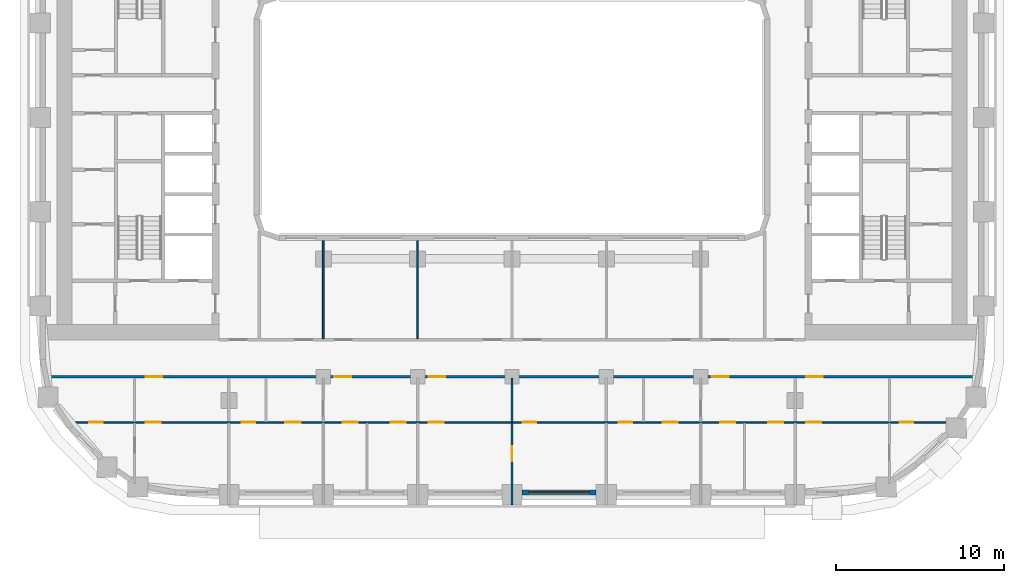
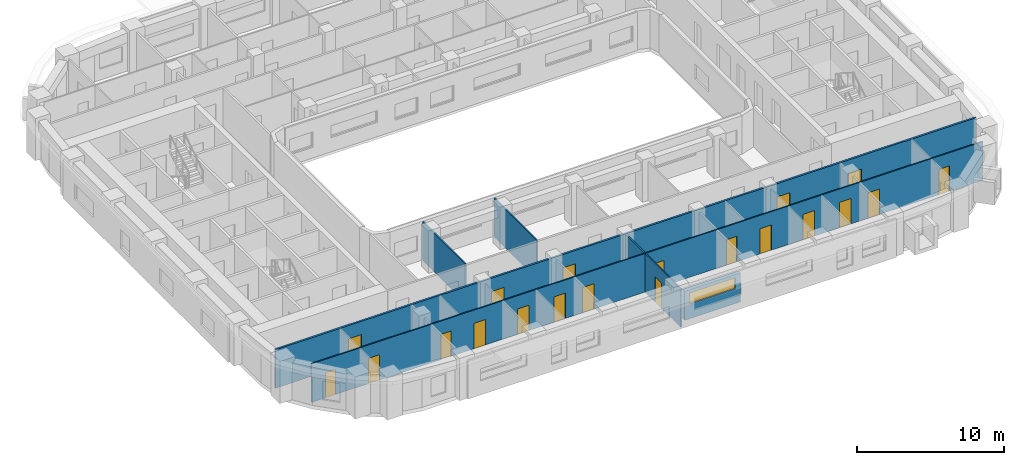
# One storey, part 3 of 22: 20 doors, 7 walls, 1 window, 21 openings.
"""IFC4 building model written with IfcOpenShell, lengths in metres."""

from ifc_helpers import new_model, si_unit, direction, frame, frame_2d, origin, place, context, subcontext, project, spatial, rectangle, extrude, material, layer, layer_set, type_object, element, fill, save


model = new_model("IFC4")

# Units and contexts
model_context = context("Model", 3, precision=1e-05, world=origin(), true_north=direction((0.0, 1.0)))
body_context = subcontext(model_context, "Body", "Model", "MODEL_VIEW")
ifc_project = project(units=[si_unit("LENGTHUNIT", "METRE"), si_unit("AREAUNIT", "SQUARE_METRE"), si_unit("VOLUMEUNIT", "CUBIC_METRE"), si_unit("PLANEANGLEUNIT", "RADIAN"), si_unit("MASSUNIT", "GRAM", prefix="KILO")], contexts=[model_context])

# Site, building, storey
site_placement = place(None, origin())
site = spatial("IfcSite", under=ifc_project, at=site_placement, CompositionType="ELEMENT")
building_placement = place(site_placement, origin())
building = spatial("IfcBuilding", under=site, at=building_placement, Name="Kiln Ring Residences", CompositionType="ELEMENT")
storey_placement = place(building_placement, frame((0.0, 0.0, 111.300048828125)))
storey = spatial("IfcBuildingStorey", under=building, at=storey_placement, Name="L28", CompositionType="ELEMENT", Elevation=111.300048828125)

# Wall, opening, window
ifc_material_1 = material(Name="Brick masonry, dark clay brick", Category="masonry")
ifc_layer_1 = layer(ifc_material_1, 0.300048828125)
ifc_layer_set_1 = layer_set([ifc_layer_1], Name="EW-300 BRICK WALL")
wall_type_1 = type_object("IfcWallType", Name="EW-300 BRICK WALL", PredefinedType="SOLIDWALL", material=ifc_layer_set_1)
wall_1_placement = place(storey_placement, frame((0.60009765625, -22.25, 0.0), z_axis=(0.0, 0.0, 1.0), x_axis=(1.0, 0.0, 0.0)))
wall_1 = element("IfcWall", 1, at=wall_1_placement, inside=storey, type_object=wall_type_1, Name="Facade wall L28 8", PredefinedType="SOLIDWALL", context=body_context, shape_type="SweptSolid", body=[
    extrude(rectangle(XDim=4.39990234375, YDim=0.300048828125, at=frame_2d((2.199951171875, 0.0))), origin(), (0.0, 0.0, 1.0), 2.39990234375),
])
opening_1_placement = place(wall_1_placement, frame((0.39990234375, 0.0, 1.199951171875)))
opening_1 = element("IfcOpeningElement", 2, at=opening_1_placement, cuts=wall_1, Name="Opening W4", PredefinedType="OPENING", context=body_context, shape_type="SweptSolid", body=[
    extrude(rectangle(XDim=3.60009765625, YDim=0.949951171875, at=frame_2d((1.800048828125, 0.47509765625))), frame((0.0, 0.159912109375, 0.0), z_axis=(0.0, -1.0, 0.0), x_axis=(1.0, 0.0, 0.0)), (0.0, 0.0, 1.0), 0.320068359375),
])
ifc_material_2 = material(Name="Aluminium frame with double glazing", Category="aluminium")
window_type = type_object("IfcWindowType", Name="WINDOW 3600 x 950", PartitioningType="SINGLE_PANEL", PredefinedType="WINDOW", material=ifc_material_2)
window_placement = place(opening_1_placement, origin())
window = element("IfcWindow", 3, at=window_placement, inside=storey, type_object=window_type, Name="Window L28 7", OverallHeight=0.949951171875, OverallWidth=3.60009765625, PartitioningType="SINGLE_PANEL", PredefinedType="WINDOW", context=body_context, shape_type="SweptSolid", body=[
    extrude(rectangle(XDim=3.60009765625, YDim=0.949951171875, at=frame_2d((1.800048828125, 0.47509765625))), frame((0.0, 0.030029296875, 0.0), z_axis=(0.0, -1.0, 0.0), x_axis=(1.0, 0.0, 0.0)), (0.0, 0.0, 1.0), 0.06005859375),
])
fill(opening_1, window)

# Wall, openings, doors
ifc_material_3 = material(Name="Gypsum board on steel studs", Category="steel")
ifc_layer_2 = layer(ifc_material_3, 0.10009765625)
ifc_layer_set_2 = layer_set([ifc_layer_2], Name="PARTITION-100")
wall_type_2 = type_object("IfcWallType", Name="PARTITION-100", PredefinedType="PARTITIONING", material=ifc_layer_set_2)
wall_2_placement = place(storey_placement, frame((-26.190185546875, -18.10009765625, 0.0), z_axis=(0.0, 0.0, 1.0), x_axis=(1.0, 0.0, 0.0)))
wall_2 = element("IfcWall", 4, at=wall_2_placement, inside=storey, type_object=wall_type_2, Name="Partition 000", PredefinedType="PARTITIONING", context=body_context, shape_type="SweptSolid", body=[
    extrude(rectangle(XDim=52.630126953125, YDim=0.10009765625, at=frame_2d((26.31494140625, 0.0))), origin(), (0.0, 0.0, 1.0), 3.199951171875),
])
opening_2_placement = place(wall_2_placement, frame((1.090087890625, 0.0, 0.0)))
opening_2 = element("IfcOpeningElement", 5, at=opening_2_placement, cuts=wall_2, Name="Opening L28-D050", PredefinedType="OPENING", context=body_context, shape_type="SweptSolid", body=[
    extrude(rectangle(XDim=0.800048828125, YDim=2.10009765625, at=frame_2d((0.39990234375, 1.050048828125))), frame((0.0, 0.06005859375, 0.0), z_axis=(0.0, -1.0, 0.0), x_axis=(1.0, 0.0, 0.0)), (0.0, 0.0, 1.0), 0.1201171875),
])
opening_3_placement = place(wall_2_placement, frame((4.440185546875, 0.0, 0.0)))
opening_3 = element("IfcOpeningElement", 6, at=opening_3_placement, cuts=wall_2, Name="Opening L28-D051", PredefinedType="OPENING", context=body_context, shape_type="SweptSolid", body=[
    extrude(rectangle(XDim=0.89990234375, YDim=2.10009765625, at=frame_2d((0.449951171875, 1.050048828125))), frame((0.0, 0.06005859375, 0.0), z_axis=(0.0, -1.0, 0.0), x_axis=(1.0, 0.0, 0.0)), (0.0, 0.0, 1.0), 0.1201171875),
])
opening_4_placement = place(wall_2_placement, frame((10.14013671875, 0.0, 0.0)))
opening_4 = element("IfcOpeningElement", 7, at=opening_4_placement, cuts=wall_2, Name="Opening L28-D055", PredefinedType="OPENING", context=body_context, shape_type="SweptSolid", body=[
    extrude(rectangle(XDim=0.800048828125, YDim=2.10009765625, at=frame_2d((0.39990234375, 1.050048828125))), frame((0.0, 0.06005859375, 0.0), z_axis=(0.0, -1.0, 0.0), x_axis=(1.0, 0.0, 0.0)), (0.0, 0.0, 1.0), 0.1201171875),
])
opening_5_placement = place(wall_2_placement, frame((12.739990234375, 0.0, 0.0)))
opening_5 = element("IfcOpeningElement", 8, at=opening_5_placement, cuts=wall_2, Name="Opening L28-D056", PredefinedType="OPENING", context=body_context, shape_type="SweptSolid", body=[
    extrude(rectangle(XDim=0.89990234375, YDim=2.10009765625, at=frame_2d((0.449951171875, 1.050048828125))), frame((0.0, 0.06005859375, 0.0), z_axis=(0.0, -1.0, 0.0), x_axis=(1.0, 0.0, 0.0)), (0.0, 0.0, 1.0), 0.1201171875),
])
opening_6_placement = place(wall_2_placement, frame((16.14013671875, 0.0, 0.0)))
opening_6 = element("IfcOpeningElement", 9, at=opening_6_placement, cuts=wall_2, Name="Opening L28-D057", PredefinedType="OPENING", context=body_context, shape_type="SweptSolid", body=[
    extrude(rectangle(XDim=0.89990234375, YDim=2.10009765625, at=frame_2d((0.449951171875, 1.050048828125))), frame((0.0, 0.06005859375, 0.0), z_axis=(0.0, -1.0, 0.0), x_axis=(1.0, 0.0, 0.0)), (0.0, 0.0, 1.0), 0.1201171875),
])
opening_7_placement = place(wall_2_placement, frame((18.989990234375, 0.0, 0.0)))
opening_7 = element("IfcOpeningElement", 10, at=opening_7_placement, cuts=wall_2, Name="Opening L28-D058", PredefinedType="OPENING", context=body_context, shape_type="SweptSolid", body=[
    extrude(rectangle(XDim=0.89990234375, YDim=2.10009765625, at=frame_2d((0.449951171875, 1.050048828125))), frame((0.0, 0.06005859375, 0.0), z_axis=(0.0, -1.0, 0.0), x_axis=(1.0, 0.0, 0.0)), (0.0, 0.0, 1.0), 0.1201171875),
])
opening_8_placement = place(wall_2_placement, frame((26.840087890625, 0.0, 0.0)))
opening_8 = element("IfcOpeningElement", 11, at=opening_8_placement, cuts=wall_2, Name="Opening L28-D060", PredefinedType="OPENING", context=body_context, shape_type="SweptSolid", body=[
    extrude(rectangle(XDim=0.800048828125, YDim=2.10009765625, at=frame_2d((0.39990234375, 1.050048828125))), frame((0.0, 0.06005859375, 0.0), z_axis=(0.0, -1.0, 0.0), x_axis=(1.0, 0.0, 0.0)), (0.0, 0.0, 1.0), 0.1201171875),
])
opening_9_placement = place(wall_2_placement, frame((21.239990234375, 0.0, 0.0)))
opening_9 = element("IfcOpeningElement", 12, at=opening_9_placement, cuts=wall_2, Name="Opening L28-D061", PredefinedType="OPENING", context=body_context, shape_type="SweptSolid", body=[
    extrude(rectangle(XDim=0.89990234375, YDim=2.10009765625, at=frame_2d((0.449951171875, 1.050048828125))), frame((0.0, 0.06005859375, 0.0), z_axis=(0.0, -1.0, 0.0), x_axis=(1.0, 0.0, 0.0)), (0.0, 0.0, 1.0), 0.1201171875),
])
opening_10_placement = place(wall_2_placement, frame((32.5400390625, 0.0, 0.0)))
opening_10 = element("IfcOpeningElement", 13, at=opening_10_placement, cuts=wall_2, Name="Opening L28-D065", PredefinedType="OPENING", context=body_context, shape_type="SweptSolid", body=[
    extrude(rectangle(XDim=0.800048828125, YDim=2.10009765625, at=frame_2d((0.39990234375, 1.050048828125))), frame((0.0, 0.06005859375, 0.0), z_axis=(0.0, -1.0, 0.0), x_axis=(1.0, 0.0, 0.0)), (0.0, 0.0, 1.0), 0.1201171875),
])
opening_11_placement = place(wall_2_placement, frame((35.14013671875, 0.0, 0.0)))
opening_11 = element("IfcOpeningElement", 14, at=opening_11_placement, cuts=wall_2, Name="Opening L28-D066", PredefinedType="OPENING", context=body_context, shape_type="SweptSolid", body=[
    extrude(rectangle(XDim=0.89990234375, YDim=2.10009765625, at=frame_2d((0.449951171875, 1.050048828125))), frame((0.0, 0.06005859375, 0.0), z_axis=(0.0, -1.0, 0.0), x_axis=(1.0, 0.0, 0.0)), (0.0, 0.0, 1.0), 0.1201171875),
])
opening_12_placement = place(wall_2_placement, frame((38.5400390625, 0.0, 0.0)))
opening_12 = element("IfcOpeningElement", 15, at=opening_12_placement, cuts=wall_2, Name="Opening L28-D067", PredefinedType="OPENING", context=body_context, shape_type="SweptSolid", body=[
    extrude(rectangle(XDim=0.89990234375, YDim=2.10009765625, at=frame_2d((0.449951171875, 1.050048828125))), frame((0.0, 0.06005859375, 0.0), z_axis=(0.0, -1.0, 0.0), x_axis=(1.0, 0.0, 0.0)), (0.0, 0.0, 1.0), 0.1201171875),
])
opening_13_placement = place(wall_2_placement, frame((41.39013671875, 0.0, 0.0)))
opening_13 = element("IfcOpeningElement", 16, at=opening_13_placement, cuts=wall_2, Name="Opening L28-D068", PredefinedType="OPENING", context=body_context, shape_type="SweptSolid", body=[
    extrude(rectangle(XDim=0.89990234375, YDim=2.10009765625, at=frame_2d((0.449951171875, 1.050048828125))), frame((0.0, 0.06005859375, 0.0), z_axis=(0.0, -1.0, 0.0), x_axis=(1.0, 0.0, 0.0)), (0.0, 0.0, 1.0), 0.1201171875),
])
opening_14_placement = place(wall_2_placement, frame((49.2041015625, 0.0, 0.0)))
opening_14 = element("IfcOpeningElement", 17, at=opening_14_placement, cuts=wall_2, Name="Opening L28-D070", PredefinedType="OPENING", context=body_context, shape_type="SweptSolid", body=[
    extrude(rectangle(XDim=0.800048828125, YDim=2.10009765625, at=frame_2d((0.39990234375, 1.050048828125))), frame((0.0, 0.06005859375, 0.0), z_axis=(0.0, -1.0, 0.0), x_axis=(1.0, 0.0, 0.0)), (0.0, 0.0, 1.0), 0.1201171875),
])
opening_15_placement = place(wall_2_placement, frame((43.64013671875, 0.0, 0.0)))
opening_15 = element("IfcOpeningElement", 18, at=opening_15_placement, cuts=wall_2, Name="Opening L28-D071", PredefinedType="OPENING", context=body_context, shape_type="SweptSolid", body=[
    extrude(rectangle(XDim=0.89990234375, YDim=2.10009765625, at=frame_2d((0.449951171875, 1.050048828125))), frame((0.0, 0.06005859375, 0.0), z_axis=(0.0, -1.0, 0.0), x_axis=(1.0, 0.0, 0.0)), (0.0, 0.0, 1.0), 0.1201171875),
])
ifc_material_4 = material(Name="Timber door leaf", Category="wood")
door_type_1 = type_object("IfcDoorType", Name="FLAT-DOOR-800-PL", OperationType="SINGLE_SWING_LEFT", PredefinedType="DOOR", material=ifc_material_4)
door_1_placement = place(opening_2_placement, origin())
door_1 = element("IfcDoor", 19, at=door_1_placement, inside=storey, type_object=door_type_1, Name="Door L28-D050", OperationType="SINGLE_SWING_RIGHT", OverallHeight=2.10009765625, OverallWidth=0.800048828125, PredefinedType="DOOR", context=body_context, shape_type="SweptSolid", body=[
    extrude(rectangle(XDim=0.800048828125, YDim=2.10009765625, at=frame_2d((0.39990234375, 1.050048828125))), frame((0.0, 0.02490234375, 0.0), z_axis=(0.0, -1.0, 0.0), x_axis=(1.0, 0.0, 0.0)), (0.0, 0.0, 1.0), 0.050048828125),
])
fill(opening_2, door_1)
door_2_placement = place(opening_4_placement, origin())
door_2 = element("IfcDoor", 20, at=door_2_placement, inside=storey, type_object=door_type_1, Name="Door L28-D055", OperationType="SINGLE_SWING_LEFT", OverallHeight=2.10009765625, OverallWidth=0.800048828125, PredefinedType="DOOR", context=body_context, shape_type="SweptSolid", body=[
    extrude(rectangle(XDim=0.800048828125, YDim=2.10009765625, at=frame_2d((0.39990234375, 1.050048828125))), frame((0.0, 0.02490234375, 0.0), z_axis=(0.0, -1.0, 0.0), x_axis=(1.0, 0.0, 0.0)), (0.0, 0.0, 1.0), 0.050048828125),
])
fill(opening_4, door_2)
door_3_placement = place(opening_8_placement, origin())
door_3 = element("IfcDoor", 21, at=door_3_placement, inside=storey, type_object=door_type_1, Name="Door L28-D060", OperationType="SINGLE_SWING_RIGHT", OverallHeight=2.10009765625, OverallWidth=0.800048828125, PredefinedType="DOOR", context=body_context, shape_type="SweptSolid", body=[
    extrude(rectangle(XDim=0.800048828125, YDim=2.10009765625, at=frame_2d((0.39990234375, 1.050048828125))), frame((0.0, 0.02490234375, 0.0), z_axis=(0.0, -1.0, 0.0), x_axis=(1.0, 0.0, 0.0)), (0.0, 0.0, 1.0), 0.050048828125),
])
fill(opening_8, door_3)
door_4_placement = place(opening_10_placement, origin())
door_4 = element("IfcDoor", 22, at=door_4_placement, inside=storey, type_object=door_type_1, Name="Door L28-D065", OperationType="SINGLE_SWING_LEFT", OverallHeight=2.10009765625, OverallWidth=0.800048828125, PredefinedType="DOOR", context=body_context, shape_type="SweptSolid", body=[
    extrude(rectangle(XDim=0.800048828125, YDim=2.10009765625, at=frame_2d((0.39990234375, 1.050048828125))), frame((0.0, 0.02490234375, 0.0), z_axis=(0.0, -1.0, 0.0), x_axis=(1.0, 0.0, 0.0)), (0.0, 0.0, 1.0), 0.050048828125),
])
fill(opening_10, door_4)
door_5_placement = place(opening_14_placement, origin())
door_5 = element("IfcDoor", 23, at=door_5_placement, inside=storey, type_object=door_type_1, Name="Door L28-D070", OperationType="SINGLE_SWING_RIGHT", OverallHeight=2.10009765625, OverallWidth=0.800048828125, PredefinedType="DOOR", context=body_context, shape_type="SweptSolid", body=[
    extrude(rectangle(XDim=0.800048828125, YDim=2.10009765625, at=frame_2d((0.39990234375, 1.050048828125))), frame((0.0, 0.02490234375, 0.0), z_axis=(0.0, -1.0, 0.0), x_axis=(1.0, 0.0, 0.0)), (0.0, 0.0, 1.0), 0.050048828125),
])
fill(opening_14, door_5)
ifc_material_5 = material(Name="Timber door leaf", Category="wood")
door_type_2 = type_object("IfcDoorType", Name="FLAT-DOOR-900-PL", OperationType="SINGLE_SWING_LEFT", PredefinedType="DOOR", material=ifc_material_5)
door_6_placement = place(opening_3_placement, origin())
door_6 = element("IfcDoor", 24, at=door_6_placement, inside=storey, type_object=door_type_2, Name="Door L28-D051", OperationType="SINGLE_SWING_LEFT", OverallHeight=2.10009765625, OverallWidth=0.89990234375, PredefinedType="DOOR", context=body_context, shape_type="SweptSolid", body=[
    extrude(rectangle(XDim=0.89990234375, YDim=2.10009765625, at=frame_2d((0.449951171875, 1.050048828125))), frame((0.0, 0.02490234375, 0.0), z_axis=(0.0, -1.0, 0.0), x_axis=(1.0, 0.0, 0.0)), (0.0, 0.0, 1.0), 0.050048828125),
])
fill(opening_3, door_6)
door_7_placement = place(opening_5_placement, origin())
door_7 = element("IfcDoor", 25, at=door_7_placement, inside=storey, type_object=door_type_2, Name="Door L28-D056", OperationType="SINGLE_SWING_RIGHT", OverallHeight=2.10009765625, OverallWidth=0.89990234375, PredefinedType="DOOR", context=body_context, shape_type="SweptSolid", body=[
    extrude(rectangle(XDim=0.89990234375, YDim=2.10009765625, at=frame_2d((0.449951171875, 1.050048828125))), frame((0.0, 0.02490234375, 0.0), z_axis=(0.0, -1.0, 0.0), x_axis=(1.0, 0.0, 0.0)), (0.0, 0.0, 1.0), 0.050048828125),
])
fill(opening_5, door_7)
door_8_placement = place(opening_6_placement, origin())
door_8 = element("IfcDoor", 26, at=door_8_placement, inside=storey, type_object=door_type_2, Name="Door L28-D057", OperationType="SINGLE_SWING_RIGHT", OverallHeight=2.10009765625, OverallWidth=0.89990234375, PredefinedType="DOOR", context=body_context, shape_type="SweptSolid", body=[
    extrude(rectangle(XDim=0.89990234375, YDim=2.10009765625, at=frame_2d((0.449951171875, 1.050048828125))), frame((0.0, 0.02490234375, 0.0), z_axis=(0.0, -1.0, 0.0), x_axis=(1.0, 0.0, 0.0)), (0.0, 0.0, 1.0), 0.050048828125),
])
fill(opening_6, door_8)
door_9_placement = place(opening_7_placement, origin())
door_9 = element("IfcDoor", 27, at=door_9_placement, inside=storey, type_object=door_type_2, Name="Door L28-D058", OperationType="SINGLE_SWING_RIGHT", OverallHeight=2.10009765625, OverallWidth=0.89990234375, PredefinedType="DOOR", context=body_context, shape_type="SweptSolid", body=[
    extrude(rectangle(XDim=0.89990234375, YDim=2.10009765625, at=frame_2d((0.449951171875, 1.050048828125))), frame((0.0, 0.02490234375, 0.0), z_axis=(0.0, -1.0, 0.0), x_axis=(1.0, 0.0, 0.0)), (0.0, 0.0, 1.0), 0.050048828125),
])
fill(opening_7, door_9)
door_10_placement = place(opening_9_placement, origin())
door_10 = element("IfcDoor", 28, at=door_10_placement, inside=storey, type_object=door_type_2, Name="Door L28-D061", OperationType="SINGLE_SWING_LEFT", OverallHeight=2.10009765625, OverallWidth=0.89990234375, PredefinedType="DOOR", context=body_context, shape_type="SweptSolid", body=[
    extrude(rectangle(XDim=0.89990234375, YDim=2.10009765625, at=frame_2d((0.449951171875, 1.050048828125))), frame((0.0, 0.02490234375, 0.0), z_axis=(0.0, -1.0, 0.0), x_axis=(1.0, 0.0, 0.0)), (0.0, 0.0, 1.0), 0.050048828125),
])
fill(opening_9, door_10)
door_11_placement = place(opening_11_placement, origin())
door_11 = element("IfcDoor", 29, at=door_11_placement, inside=storey, type_object=door_type_2, Name="Door L28-D066", OperationType="SINGLE_SWING_RIGHT", OverallHeight=2.10009765625, OverallWidth=0.89990234375, PredefinedType="DOOR", context=body_context, shape_type="SweptSolid", body=[
    extrude(rectangle(XDim=0.89990234375, YDim=2.10009765625, at=frame_2d((0.449951171875, 1.050048828125))), frame((0.0, 0.02490234375, 0.0), z_axis=(0.0, -1.0, 0.0), x_axis=(1.0, 0.0, 0.0)), (0.0, 0.0, 1.0), 0.050048828125),
])
fill(opening_11, door_11)
door_12_placement = place(opening_12_placement, origin())
door_12 = element("IfcDoor", 30, at=door_12_placement, inside=storey, type_object=door_type_2, Name="Door L28-D067", OperationType="SINGLE_SWING_RIGHT", OverallHeight=2.10009765625, OverallWidth=0.89990234375, PredefinedType="DOOR", context=body_context, shape_type="SweptSolid", body=[
    extrude(rectangle(XDim=0.89990234375, YDim=2.10009765625, at=frame_2d((0.449951171875, 1.050048828125))), frame((0.0, 0.02490234375, 0.0), z_axis=(0.0, -1.0, 0.0), x_axis=(1.0, 0.0, 0.0)), (0.0, 0.0, 1.0), 0.050048828125),
])
fill(opening_12, door_12)
door_13_placement = place(opening_13_placement, origin())
door_13 = element("IfcDoor", 31, at=door_13_placement, inside=storey, type_object=door_type_2, Name="Door L28-D068", OperationType="SINGLE_SWING_RIGHT", OverallHeight=2.10009765625, OverallWidth=0.89990234375, PredefinedType="DOOR", context=body_context, shape_type="SweptSolid", body=[
    extrude(rectangle(XDim=0.89990234375, YDim=2.10009765625, at=frame_2d((0.449951171875, 1.050048828125))), frame((0.0, 0.02490234375, 0.0), z_axis=(0.0, -1.0, 0.0), x_axis=(1.0, 0.0, 0.0)), (0.0, 0.0, 1.0), 0.050048828125),
])
fill(opening_13, door_13)
door_14_placement = place(opening_15_placement, origin())
door_14 = element("IfcDoor", 32, at=door_14_placement, inside=storey, type_object=door_type_2, Name="Door L28-D071", OperationType="SINGLE_SWING_LEFT", OverallHeight=2.10009765625, OverallWidth=0.89990234375, PredefinedType="DOOR", context=body_context, shape_type="SweptSolid", body=[
    extrude(rectangle(XDim=0.89990234375, YDim=2.10009765625, at=frame_2d((0.449951171875, 1.050048828125))), frame((0.0, 0.02490234375, 0.0), z_axis=(0.0, -1.0, 0.0), x_axis=(1.0, 0.0, 0.0)), (0.0, 0.0, 1.0), 0.050048828125),
])
fill(opening_15, door_14)

# Walls
for number, where, z_axis, x_axis, name in (
    (33, (-11.199951171875, -13.125, 0.0), (0.0, 0.0, 1.0), (0.0, 1.0, 0.0), "Partition 021"),
    (34, (-5.60009765625, -13.125, 0.0), (0.0, 0.0, 1.0), (0.0, 1.0, 0.0), "Partition 027"),
):
    element("IfcWall", number, at=place(storey_placement, frame(where, z_axis=z_axis, x_axis=x_axis)), inside=storey, type_object=wall_type_2, Name=name, PredefinedType="PARTITIONING", context=body_context, shape_type="SweptSolid", body=[
        extrude(rectangle(XDim=5.804931640625, YDim=0.10009765625, at=frame_2d((2.90234375, 0.0))), origin(), (0.0, 0.0, 1.0), 3.199951171875),
    ])

# Wall, opening, door
wall_3_placement = place(storey_placement, frame((0.0, -22.97998046875, 0.0), z_axis=(0.0, 0.0, 1.0), x_axis=(0.0, 1.0, 0.0)))
wall_3 = element("IfcWall", 35, at=wall_3_placement, inside=storey, type_object=wall_type_2, Name="Partition 035", PredefinedType="PARTITIONING", context=body_context, shape_type="SweptSolid", body=[
    extrude(rectangle(XDim=4.830078125, YDim=0.10009765625, at=frame_2d((2.4150390625, 0.0))), origin(), (0.0, 0.0, 1.0), 3.199951171875),
])
opening_16_placement = place(wall_3_placement, frame((2.570068359375, 0.0, 0.0)))
opening_16 = element("IfcOpeningElement", 36, at=opening_16_placement, cuts=wall_3, Name="Opening L28-D062", PredefinedType="OPENING", context=body_context, shape_type="SweptSolid", body=[
    extrude(rectangle(XDim=0.89990234375, YDim=2.10009765625, at=frame_2d((0.449951171875, 1.050048828125))), frame((0.0, 0.06005859375, 0.0), z_axis=(0.0, -1.0, 0.0), x_axis=(1.0, 0.0, 0.0)), (0.0, 0.0, 1.0), 0.1201171875),
])
door_15_placement = place(opening_16_placement, origin())
door_15 = element("IfcDoor", 37, at=door_15_placement, inside=storey, type_object=door_type_2, Name="Door L28-D062", OperationType="SINGLE_SWING_RIGHT", OverallHeight=2.10009765625, OverallWidth=0.89990234375, PredefinedType="DOOR", context=body_context, shape_type="SweptSolid", body=[
    extrude(rectangle(XDim=0.89990234375, YDim=2.10009765625, at=frame_2d((0.449951171875, 1.050048828125))), frame((0.0, 0.02490234375, 0.0), z_axis=(0.0, -1.0, 0.0), x_axis=(1.0, 0.0, 0.0)), (0.0, 0.0, 1.0), 0.050048828125),
])
fill(opening_16, door_15)

# Wall
wall_4_placement = place(storey_placement, frame((0.0, -18.050048828125, 0.0), z_axis=(0.0, 0.0, 1.0), x_axis=(0.0, 1.0, 0.0)))
element("IfcWall", 38, at=wall_4_placement, inside=storey, type_object=wall_type_2, Name="Partition 036", PredefinedType="PARTITIONING", context=body_context, shape_type="SweptSolid", body=[
    extrude(rectangle(XDim=2.574951171875, YDim=0.10009765625, at=frame_2d((1.28759765625, 0.0))), origin(), (0.0, 0.0, 1.0), 3.199951171875),
])

# Wall, openings, doors
ifc_material_6 = material(Name="Brick masonry partition", Category="masonry")
ifc_layer_3 = layer(ifc_material_6, 0.14990234375)
ifc_layer_set_3 = layer_set([ifc_layer_3], Name="PARTITION-150-ei60")
wall_type_3 = type_object("IfcWallType", Name="PARTITION-150-ei60", PredefinedType="PARTITIONING", material=ifc_layer_set_3)
wall_5_placement = place(storey_placement, frame((-27.48388671875, -15.39990234375, 0.0), z_axis=(0.0, 0.0, 1.0), x_axis=(1.0, 0.0, 0.0)))
wall_5 = element("IfcWall", 39, at=wall_5_placement, inside=storey, type_object=wall_type_3, Name="Partition 001", PredefinedType="PARTITIONING", context=body_context, shape_type="SweptSolid", body=[
    extrude(rectangle(XDim=54.9677734375, YDim=0.14990234375, at=frame_2d((27.48388671875, 0.0))), origin(), (0.0, 0.0, 1.0), 3.199951171875),
])
opening_17_placement = place(wall_5_placement, frame((5.73388671875, 0.0, 0.0)))
opening_17 = element("IfcOpeningElement", 40, at=opening_17_placement, cuts=wall_5, Name="Opening L28-D049", PredefinedType="OPENING", context=body_context, shape_type="SweptSolid", body=[
    extrude(rectangle(XDim=1.0, YDim=2.10009765625, at=frame_2d((0.5, 1.050048828125))), frame((0.0, 0.0849609375, 0.0), z_axis=(0.0, -1.0, 0.0), x_axis=(1.0, 0.0, 0.0)), (0.0, 0.0, 1.0), 0.169921875),
])
opening_18_placement = place(wall_5_placement, frame((16.933837890625, 0.0, 0.0)))
opening_18 = element("IfcOpeningElement", 41, at=opening_18_placement, cuts=wall_5, Name="Opening L28-D053", PredefinedType="OPENING", context=body_context, shape_type="SweptSolid", body=[
    extrude(rectangle(XDim=1.0, YDim=2.10009765625, at=frame_2d((0.5, 1.050048828125))), frame((0.0, 0.0849609375, 0.0), z_axis=(0.0, -1.0, 0.0), x_axis=(1.0, 0.0, 0.0)), (0.0, 0.0, 1.0), 0.169921875),
])
opening_19_placement = place(wall_5_placement, frame((22.53369140625, 0.0, 0.0)))
opening_19 = element("IfcOpeningElement", 42, at=opening_19_placement, cuts=wall_5, Name="Opening L28-D059", PredefinedType="OPENING", context=body_context, shape_type="SweptSolid", body=[
    extrude(rectangle(XDim=1.0, YDim=2.10009765625, at=frame_2d((0.5, 1.050048828125))), frame((0.0, 0.0849609375, 0.0), z_axis=(0.0, -1.0, 0.0), x_axis=(1.0, 0.0, 0.0)), (0.0, 0.0, 1.0), 0.169921875),
])
opening_20_placement = place(wall_5_placement, frame((39.333740234375, 0.0, 0.0)))
opening_20 = element("IfcOpeningElement", 43, at=opening_20_placement, cuts=wall_5, Name="Opening L28-D063", PredefinedType="OPENING", context=body_context, shape_type="SweptSolid", body=[
    extrude(rectangle(XDim=1.0, YDim=2.10009765625, at=frame_2d((0.5, 1.050048828125))), frame((0.0, 0.0849609375, 0.0), z_axis=(0.0, -1.0, 0.0), x_axis=(1.0, 0.0, 0.0)), (0.0, 0.0, 1.0), 0.169921875),
])
opening_21_placement = place(wall_5_placement, frame((44.933837890625, 0.0, 0.0)))
opening_21 = element("IfcOpeningElement", 44, at=opening_21_placement, cuts=wall_5, Name="Opening L28-D069", PredefinedType="OPENING", context=body_context, shape_type="SweptSolid", body=[
    extrude(rectangle(XDim=1.0, YDim=2.10009765625, at=frame_2d((0.5, 1.050048828125))), frame((0.0, 0.0849609375, 0.0), z_axis=(0.0, -1.0, 0.0), x_axis=(1.0, 0.0, 0.0)), (0.0, 0.0, 1.0), 0.169921875),
])
ifc_material_7 = material(Name="Steel faced fire door leaf", Category="steel")
door_type_3 = type_object("IfcDoorType", Name="FLAT-DOOR-1000-FR", OperationType="SINGLE_SWING_LEFT", PredefinedType="DOOR", material=ifc_material_7)
door_16_placement = place(opening_17_placement, origin())
door_16 = element("IfcDoor", 45, at=door_16_placement, inside=storey, type_object=door_type_3, Name="Door L28-D049", OperationType="SINGLE_SWING_LEFT", OverallHeight=2.10009765625, OverallWidth=1.0, PredefinedType="DOOR", context=body_context, shape_type="SweptSolid", body=[
    extrude(rectangle(XDim=1.0, YDim=2.10009765625, at=frame_2d((0.5, 1.050048828125))), frame((0.0, 0.02490234375, 0.0), z_axis=(0.0, -1.0, 0.0), x_axis=(1.0, 0.0, 0.0)), (0.0, 0.0, 1.0), 0.050048828125),
])
fill(opening_17, door_16)
door_17_placement = place(opening_18_placement, origin())
door_17 = element("IfcDoor", 46, at=door_17_placement, inside=storey, type_object=door_type_3, Name="Door L28-D053", OperationType="SINGLE_SWING_LEFT", OverallHeight=2.10009765625, OverallWidth=1.0, PredefinedType="DOOR", context=body_context, shape_type="SweptSolid", body=[
    extrude(rectangle(XDim=1.0, YDim=2.10009765625, at=frame_2d((0.5, 1.050048828125))), frame((0.0, 0.02490234375, 0.0), z_axis=(0.0, -1.0, 0.0), x_axis=(1.0, 0.0, 0.0)), (0.0, 0.0, 1.0), 0.050048828125),
])
fill(opening_18, door_17)
door_18_placement = place(opening_19_placement, origin())
door_18 = element("IfcDoor", 47, at=door_18_placement, inside=storey, type_object=door_type_3, Name="Door L28-D059", OperationType="SINGLE_SWING_LEFT", OverallHeight=2.10009765625, OverallWidth=1.0, PredefinedType="DOOR", context=body_context, shape_type="SweptSolid", body=[
    extrude(rectangle(XDim=1.0, YDim=2.10009765625, at=frame_2d((0.5, 1.050048828125))), frame((0.0, 0.02490234375, 0.0), z_axis=(0.0, -1.0, 0.0), x_axis=(1.0, 0.0, 0.0)), (0.0, 0.0, 1.0), 0.050048828125),
])
fill(opening_19, door_18)
door_19_placement = place(opening_20_placement, origin())
door_19 = element("IfcDoor", 48, at=door_19_placement, inside=storey, type_object=door_type_3, Name="Door L28-D063", OperationType="SINGLE_SWING_LEFT", OverallHeight=2.10009765625, OverallWidth=1.0, PredefinedType="DOOR", context=body_context, shape_type="SweptSolid", body=[
    extrude(rectangle(XDim=1.0, YDim=2.10009765625, at=frame_2d((0.5, 1.050048828125))), frame((0.0, 0.02490234375, 0.0), z_axis=(0.0, -1.0, 0.0), x_axis=(1.0, 0.0, 0.0)), (0.0, 0.0, 1.0), 0.050048828125),
])
fill(opening_20, door_19)
door_20_placement = place(opening_21_placement, origin())
door_20 = element("IfcDoor", 49, at=door_20_placement, inside=storey, type_object=door_type_3, Name="Door L28-D069", OperationType="SINGLE_SWING_LEFT", OverallHeight=2.10009765625, OverallWidth=1.0, PredefinedType="DOOR", context=body_context, shape_type="SweptSolid", body=[
    extrude(rectangle(XDim=1.0, YDim=2.10009765625, at=frame_2d((0.5, 1.050048828125))), frame((0.0, 0.02490234375, 0.0), z_axis=(0.0, -1.0, 0.0), x_axis=(1.0, 0.0, 0.0)), (0.0, 0.0, 1.0), 0.050048828125),
])
fill(opening_21, door_20)

save(model, "model.ifc")
